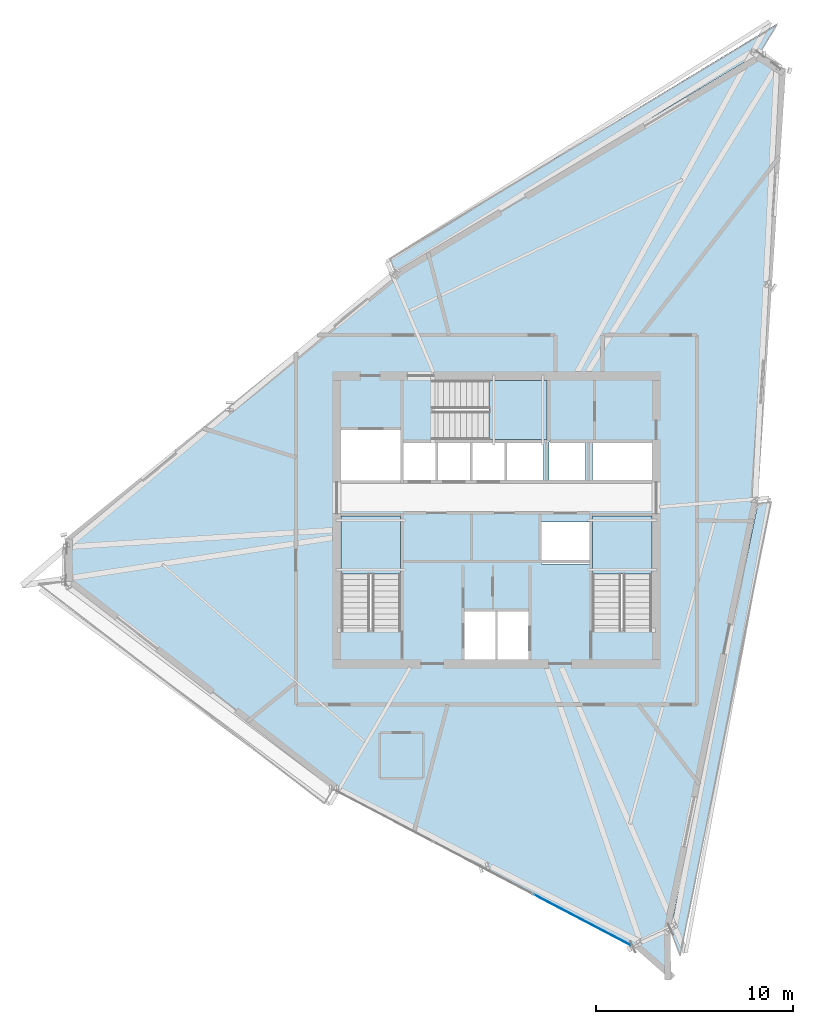
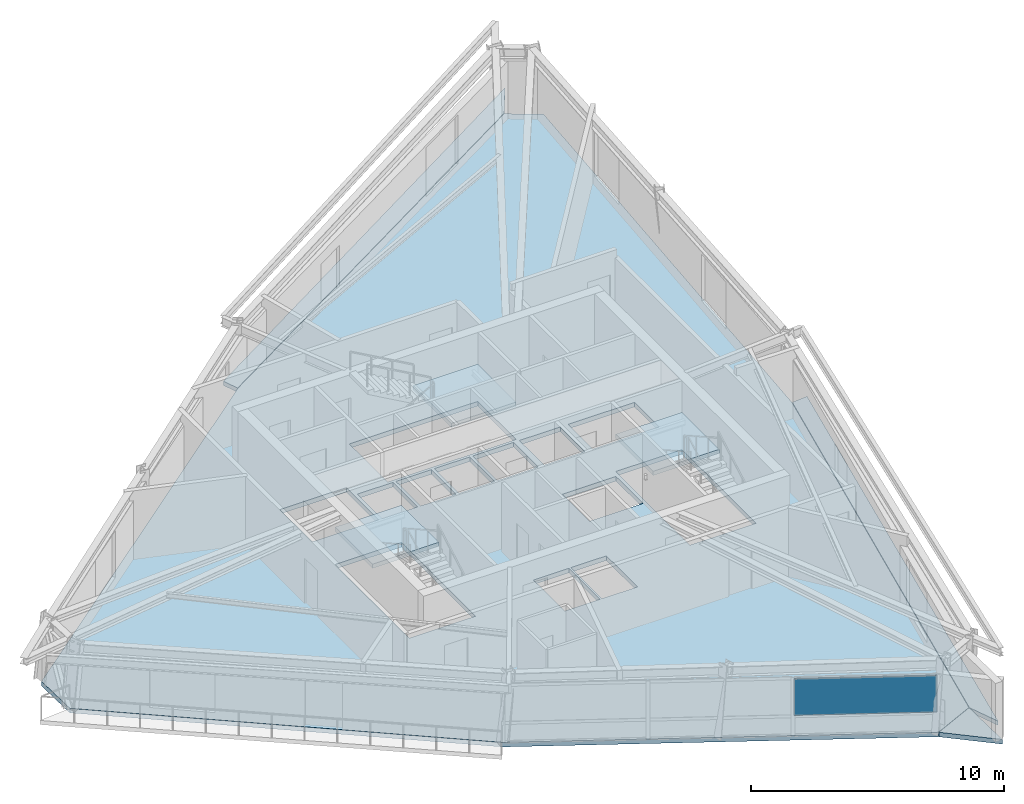
# One storey, part 6 of 14: 7 slabs, 1 plate, 4 elements without a shape of their own.
"""IFC4 building model written with IfcOpenShell, lengths in metres."""

import ifcopenshell
import ifcopenshell.guid

model = None  # the IFC model being written
_history = None  # IfcOwnerHistory: only IFC2X3 demands one
_inside = {}  # id of a spatial element -> (the spatial element, [elements in it])
_under = {}  # id of a project, library or spatial element -> (it, [spatial elements below it])
_declared = {}  # id of a project -> (the project, [libraries it declares])
_typed = {}  # id of a type object -> (the type object, [elements of that type])
_made_of = {}  # id of a material, layer set ... -> (it, [elements and type objects made of it])


def new_model(schema):
    """Start an empty IFC model of exactly this schema.

    Asked for "IFC4X3", IfcOpenShell would pick the latest addendum, in which some entities
    have other attributes; the version numbers below select the first issue.
    IFC2X3 requires an IfcOwnerHistory on every rooted entity: one is made here for all.
    """
    global model, _history
    if schema == "IFC4X3":
        model = ifcopenshell.file(schema_version=(4, 3, 0, 0))
    else:
        model = ifcopenshell.file(schema=schema)
    _inside.clear()
    _under.clear()
    _declared.clear()
    _typed.clear()
    _made_of.clear()
    _history = None
    if model.schema == "IFC2X3":
        org = make("IfcOrganization", Name="unknown")
        user = make(
            "IfcPersonAndOrganization",
            ThePerson=make("IfcPerson", FamilyName="unknown"),
            TheOrganization=org,
        )
        app = make(
            "IfcApplication",
            ApplicationDeveloper=org,
            Version="unknown",
            ApplicationFullName="unknown",
            ApplicationIdentifier="unknown",
        )
        _history = make(
            "IfcOwnerHistory",
            OwningUser=user,
            OwningApplication=app,
            ChangeAction="ADDED",
            CreationDate=0,
        )
    return model


def make(cls, **values):
    """One entity of the class cls with the attributes given. An attribute that is None is left unset."""
    return model.create_entity(
        cls, **{name: value for name, value in values.items() if value is not None}
    )


def rooted(cls, **values):
    """An entity with a GlobalId (a new one), such as an element, a storey or a relation."""
    return make(cls, GlobalId=ifcopenshell.guid.new(), OwnerHistory=_history, **values)


def si_unit(unit_type, name, prefix=None):
    """IfcSIUnit, for example si_unit("LENGTHUNIT", "METRE", prefix="MILLI")."""
    return make("IfcSIUnit", UnitType=unit_type, Prefix=prefix, Name=name)


def assignment(units):
    """IfcUnitAssignment: the units of a project."""
    return None if units is None else make("IfcUnitAssignment", Units=units)


def point(xyz):
    """IfcCartesianPoint."""
    return None if xyz is None else make("IfcCartesianPoint", Coordinates=xyz)


def direction(xyz):
    """IfcDirection."""
    return None if xyz is None else make("IfcDirection", DirectionRatios=xyz)


def frame(location, z_axis=None, x_axis=None):
    """IfcAxis2Placement3D, a coordinate frame: its origin and axes. An axis left out is left unset."""
    return make(
        "IfcAxis2Placement3D",
        Location=point(location),
        Axis=direction(z_axis),
        RefDirection=direction(x_axis),
    )


def frame_2d(location, x_axis=None):
    """IfcAxis2Placement2D, a coordinate frame in the plane: its origin and x axis."""
    return make(
        "IfcAxis2Placement2D", Location=point(location), RefDirection=direction(x_axis)
    )


def origin():
    """The frame at (0, 0, 0) with its axes left unset."""
    return frame((0.0, 0.0, 0.0))


def origin_2d():
    """The frame at (0, 0) in the plane with its x axis left unset."""
    return frame_2d((0.0, 0.0))


def place(relative_to, where):
    """IfcLocalPlacement: puts the frame where relative to a parent placement (None: the world)."""
    return make(
        "IfcLocalPlacement", PlacementRelTo=relative_to, RelativePlacement=where
    )


def context(
    kind, dimensions, precision=None, world=None, true_north=None, identifier=None
):
    """IfcGeometricRepresentationContext, for example the 3D "Model" context."""
    return make(
        "IfcGeometricRepresentationContext",
        ContextIdentifier=identifier,
        ContextType=kind,
        CoordinateSpaceDimension=dimensions,
        Precision=precision,
        WorldCoordinateSystem=world,
        TrueNorth=true_north,
    )


def subcontext(parent, identifier, kind, view, scale=None):
    """IfcGeometricRepresentationSubContext, for example "Body" below "Model"."""
    return make(
        "IfcGeometricRepresentationSubContext",
        ContextIdentifier=identifier,
        ContextType=kind,
        ParentContext=parent,
        TargetScale=scale,
        TargetView=view,
    )


def project(units=None, contexts=None):
    """IfcProject with its units and contexts."""
    return rooted(
        "IfcProject",
        Name="project",
        RepresentationContexts=contexts,
        UnitsInContext=assignment(units),
    )


def spatial(cls, under=None, at=None, **own):
    """A site, building, storey or space (cls), placed at a placement, below another one or the project."""
    s = rooted(cls, ObjectPlacement=at, **own)
    if under is not None:
        _under.setdefault(under.id(), (under, []))[1].append(s)
    return s


def polyline(points):
    """IfcPolyline through the points."""
    return make("IfcPolyline", Points=[point(p) for p in points])


def profile(cls, at=None, kind="AREA", **sizes):
    """A parametric profile (cls). Its sizes go by their IFC names, for example OverallWidth=200.0."""
    return make(cls, ProfileType=kind, Position=at, **sizes)


def rectangle(**sizes):
    """IfcRectangleProfileDef."""
    return profile("IfcRectangleProfileDef", **sizes)


def outline(outer, holes=None, kind="AREA"):
    """IfcArbitraryClosedProfileDef: a profile drawn as a closed curve; with holes, ...WithVoids."""
    if holes is None:
        return make("IfcArbitraryClosedProfileDef", ProfileType=kind, OuterCurve=outer)
    return make(
        "IfcArbitraryProfileDefWithVoids",
        ProfileType=kind,
        OuterCurve=outer,
        InnerCurves=holes,
    )


def extrude(swept, where, along, depth):
    """IfcExtrudedAreaSolid: the profile swept, set in the frame where, extruded along a direction by depth."""
    return make(
        "IfcExtrudedAreaSolid",
        SweptArea=swept,
        Position=where,
        ExtrudedDirection=direction(along),
        Depth=depth,
    )


def shape(context_of_items, identifier, shape_type, items):
    """IfcShapeRepresentation: the items that make up one representation, for example the "Body"."""
    return make(
        "IfcShapeRepresentation",
        ContextOfItems=context_of_items,
        RepresentationIdentifier=identifier,
        RepresentationType=shape_type,
        Items=items,
    )


def source(mapping_origin, context_of_items, identifier, shape_type, items):
    """IfcRepresentationMap: a shape defined once, which mapped items show again and again."""
    return make(
        "IfcRepresentationMap",
        MappingOrigin=mapping_origin,
        MappedRepresentation=shape(context_of_items, identifier, shape_type, items),
    )


def transform(
    local_origin,
    x_axis=None,
    y_axis=None,
    z_axis=None,
    scale=None,
    scale2=None,
    scale3=None,
    uniform=True,
):
    """IfcCartesianTransformationOperator3D, or its non-uniform kind. x_axis, y_axis, z_axis: its Axis1, 2, 3."""
    if uniform:
        return make(
            "IfcCartesianTransformationOperator3D",
            Axis1=direction(x_axis),
            Axis2=direction(y_axis),
            LocalOrigin=point(local_origin),
            Scale=scale,
            Axis3=direction(z_axis),
        )
    return make(
        "IfcCartesianTransformationOperator3DnonUniform",
        Axis1=direction(x_axis),
        Axis2=direction(y_axis),
        LocalOrigin=point(local_origin),
        Scale=scale,
        Axis3=direction(z_axis),
        Scale2=scale2,
        Scale3=scale3,
    )


def mapped(mapping_source, mapping_target):
    """IfcMappedItem: shows the shape of a source again, moved by a transform."""
    return make(
        "IfcMappedItem", MappingSource=mapping_source, MappingTarget=mapping_target
    )


def material(Name=None, Category=None):
    """IfcMaterial."""
    return make("IfcMaterial", Name=Name, Category=Category)


def layer(
    of_material, thickness, ventilated=None, Name=None, Category=None, Priority=None
):
    """IfcMaterialLayer: one layer of a wall or slab, of a material (None: an air gap)."""
    return make(
        "IfcMaterialLayer",
        Material=of_material,
        LayerThickness=thickness,
        IsVentilated=ventilated,
        Name=Name,
        Category=Category,
        Priority=Priority,
    )


def layer_set(layers, Name=None):
    """IfcMaterialLayerSet."""
    return make("IfcMaterialLayerSet", MaterialLayers=layers, LayerSetName=Name)


def made_of(thing, what):
    """Note that an element or type object is made of a material, layer set ...; save() writes the relation."""
    if what is not None:
        _made_of.setdefault(what.id(), (what, []))[1].append(thing)
    return thing


def type_object(cls, material=None, **own):
    """A type object (cls), such as IfcWallType, which elements share."""
    return made_of(rooted(cls, **own), material)


def element(
    cls,
    number,
    at=None,
    inside=None,
    cuts=None,
    type_object=None,
    material=None,
    context=None,
    identifier="Body",
    shape_type=None,
    held_by="IfcProductDefinitionShape",
    body=None,
    shapes=None,
    **own,
):
    """One element of the class cls, such as IfcWall. Its Tag is "e" and its number.

    at: its placement. inside: the storey or other place that contains it. cuts: it is an
    opening in that element (IfcRelVoidsElement). A single representation is given by context,
    identifier, shape_type and body (its items); several are given by shapes. held_by: the class
    of the entity that holds the representations. save() writes the other relations.
    """
    e = rooted(cls, Tag="e%d" % number, ObjectPlacement=at, **own)
    if body is not None:
        shapes = [shape(context, identifier, shape_type, body)]
    if shapes is not None:
        e.Representation = make(held_by, Representations=shapes)
    if inside is not None:
        _inside.setdefault(inside.id(), (inside, []))[1].append(e)
    if cuts is not None:
        rooted(
            "IfcRelVoidsElement", RelatingBuildingElement=cuts, RelatedOpeningElement=e
        )
    if type_object is not None:
        _typed.setdefault(type_object.id(), (type_object, []))[1].append(e)
    return made_of(e, material)


def aggregate(whole, parts):
    """IfcRelAggregates: a whole, such as a stair, and the parts it consists of."""
    return rooted("IfcRelAggregates", RelatingObject=whole, RelatedObjects=parts)


def save(model, path):
    """Write the relations noted so far, then the file.

    IfcRelAggregates (storeys below a building ...), IfcRelContainedInSpatialStructure (elements
    in a storey), IfcRelDefinesByType, IfcRelAssociatesMaterial and IfcRelDeclares: one each for
    every whole, place, type object, material and project.
    """
    for whole, parts in _under.values():
        aggregate(whole, parts)
    for where, things in _inside.values():
        rooted(
            "IfcRelContainedInSpatialStructure",
            RelatedElements=things,
            RelatingStructure=where,
        )
    for kind, things in _typed.values():
        rooted("IfcRelDefinesByType", RelatedObjects=things, RelatingType=kind)
    for what, things in _made_of.values():
        rooted("IfcRelAssociatesMaterial", RelatedObjects=things, RelatingMaterial=what)
    for by, libraries in _declared.values():
        rooted("IfcRelDeclares", RelatingContext=by, RelatedDefinitions=libraries)
    model.write(path)


model = new_model("IFC4")

# Units and contexts
model_context = context("Model", 3, precision=1e-05, world=origin(), true_north=direction((0.0, 1.0)))
body_context = subcontext(model_context, "Body", "Model", "MODEL_VIEW")
ifc_project = project(units=[si_unit("LENGTHUNIT", "METRE"), si_unit("AREAUNIT", "SQUARE_METRE"), si_unit("VOLUMEUNIT", "CUBIC_METRE"), si_unit("PLANEANGLEUNIT", "RADIAN"), si_unit("MASSUNIT", "GRAM", prefix="KILO")], contexts=[model_context])

# Site, building, storey
site_placement = place(None, origin())
site = spatial("IfcSite", under=ifc_project, at=site_placement, CompositionType="ELEMENT")
building_placement = place(site_placement, origin())
building = spatial("IfcBuilding", under=site, at=building_placement, Name="Olszyna Solenne Hotel", CompositionType="ELEMENT")
storey_placement = place(building_placement, frame((0.0, 0.0, 274.10009765625)))
storey = spatial("IfcBuildingStorey", under=building, at=storey_placement, Name="L73", CompositionType="ELEMENT", Elevation=274.10009765625)

# Stair, slab
ifc_material_1 = material(Name="Concrete C40/50", Category="concrete")
stair_type = type_object("IfcStairType", Name="STR-C1", PredefinedType="TWO_QUARTER_WINDING_STAIR", material=ifc_material_1)
stair_1_placement = place(storey_placement, origin())
stair_1 = element("IfcStair", 1, at=stair_1_placement, inside=storey, type_object=stair_type, Name="L73 ST1", PredefinedType="TWO_QUARTER_WINDING_STAIR")
ifc_layer_1 = layer(ifc_material_1, 0.18994140625, Name="Concrete C40/50")
ifc_layer_set_1 = layer_set([ifc_layer_1], Name="Concrete C40/50")
slab_type_1 = type_object("IfcSlabType", Name="SL-LN190", PredefinedType="LANDING", material=ifc_layer_set_1)
slab_1_placement = place(storey_placement, frame((0.0, 0.0, 1.599853515625)))
slab_1 = element("IfcSlab", 2, at=slab_1_placement, type_object=slab_type_1, Name="ST1 landing 1", PredefinedType="LANDING", context=body_context, shape_type="SweptSolid", body=[
    extrude(outline(polyline([(33.1201171875, 23.85009765625), (33.1201171875, 26.800048828125), (30.10009765625, 26.800048828125), (30.10009765625, 23.85009765625), (33.1201171875, 23.85009765625)])), origin(), (0.0, 0.0, 1.0), 0.199951171875),
])
aggregate(stair_1, [slab_1])

stair_2_placement = place(storey_placement, origin())
stair_2 = element("IfcStair", 3, at=stair_2_placement, inside=storey, type_object=stair_type, Name="L73 ST2", PredefinedType="TWO_QUARTER_WINDING_STAIR")
slab_2_placement = place(storey_placement, frame((0.0, 0.0, 1.599853515625)))
slab_2 = element("IfcSlab", 4, at=slab_2_placement, type_object=slab_type_1, Name="ST2 landing 1", PredefinedType="LANDING", context=body_context, shape_type="SweptSolid", body=[
    extrude(outline(polyline([(45.89990234375, 23.85009765625), (45.89990234375, 26.800048828125), (42.8798828125, 26.800048828125), (42.8798828125, 23.85009765625), (45.89990234375, 23.85009765625)])), origin(), (0.0, 0.0, 1.0), 0.199951171875),
])
aggregate(stair_2, [slab_2])

stair_3_placement = place(storey_placement, origin())
stair_3 = element("IfcStair", 5, at=stair_3_placement, inside=storey, type_object=stair_type, Name="L73 ST3", PredefinedType="TWO_QUARTER_WINDING_STAIR")
slab_3_placement = place(storey_placement, frame((0.0, 0.0, 1.599853515625)))
slab_3 = element("IfcSlab", 6, at=slab_3_placement, type_object=slab_type_1, Name="ST3 landing 1", PredefinedType="LANDING", context=body_context, shape_type="SweptSolid", body=[
    extrude(outline(polyline([(37.6298828125, 30.679931640625), (40.580078125, 30.679931640625), (40.580078125, 33.699951171875), (37.6298828125, 33.699951171875), (37.6298828125, 30.679931640625)])), origin(), (0.0, 0.0, 1.0), 0.199951171875),
])
aggregate(stair_3, [slab_3])

# Slabs
ifc_material_2 = material(Name="Precast concrete C45/55", Category="concrete")
ifc_layer_2 = layer(ifc_material_2, 0.199951171875, Name="Precast concrete C45/55")
ifc_layer_set_2 = layer_set([ifc_layer_2], Name="Precast concrete C45/55")
slab_type_2 = type_object("IfcSlabType", Name="SL-LOG200", PredefinedType="FLOOR", material=ifc_layer_set_2)
slab_4_placement = place(storey_placement, frame((0.0, 0.0, -0.2001953125)))
element("IfcSlab", 7, at=slab_4_placement, inside=storey, type_object=slab_type_2, Name="Exterior loggia balcony slab SL-L73-LG1", PredefinedType="FLOOR", context=body_context, shape_type="SweptSolid", body=[
    extrude(outline(polyline([(32.83349609375, 39.23681640625), (51.3720703125, 50.33740234375), (51.373291015625, 50.338134765625), (51.374755859375, 50.338623046875), (51.376220703125, 50.339111328125), (51.37744140625, 50.33935546875), (51.37890625, 50.339599609375), (51.380615234375, 50.339599609375), (51.382080078125, 50.33935546875), (51.38330078125, 50.339111328125), (51.384765625, 50.338623046875), (51.38623046875, 50.338134765625), (51.387451171875, 50.33740234375), (52.299072265625, 51.849853515625), (32.575439453125, 39.9208984375), (32.83349609375, 39.23681640625)])), origin(), (0.0, 0.0, 1.0), 0.2001953125),
])
slab_5_placement = place(storey_placement, frame((0.0, 0.0, -0.2001953125)))
element("IfcSlab", 8, at=slab_5_placement, inside=storey, type_object=slab_type_2, Name="Exterior loggia balcony slab SL-L73-LG3", PredefinedType="FLOOR", context=body_context, shape_type="SweptSolid", body=[
    extrude(outline(polyline([(51.297607421875, 27.442138671875), (51.297607421875, 27.439697265625), (51.297119140625, 27.437744140625), (46.8505859375, 5.77197265625), (46.851318359375, 5.73193359375), (47.362548828125, 4.376220703125), (52.005615234375, 27.5048828125), (51.297607421875, 27.442138671875)])), origin(), (0.0, 0.0, 1.0), 0.2001953125),
])
ifc_material_3 = material(Name="Concrete C50/60", Category="concrete")
ifc_layer_3 = layer(ifc_material_3, 0.219970703125, Name="Concrete C50/60")
ifc_layer_set_3 = layer_set([ifc_layer_3], Name="Concrete C50/60")
slab_type_3 = type_object("IfcSlabType", Name="SL-TW225", PredefinedType="FLOOR", material=ifc_layer_set_3)
slab_6_placement = place(storey_placement, frame((0.0, 0.0, -0.22021484375)))
element("IfcSlab", 9, at=slab_6_placement, inside=storey, type_object=slab_type_3, Name="Floor slab SL-TW225 SL-L73-01", PredefinedType="FLOOR", context=body_context, shape_type="SweptSolid", body=[
    extrude(outline(polyline([(52.711181640625, 49.513671875), (51.379638671875, 50.32470703125), (32.8388671875, 39.222412109375), (16.042724609375, 25.624267578125), (16.08447265625, 23.4638671875), (29.691650390625, 12.901611328125), (44.9462890625, 4.900390625), (46.835693359375, 5.7734375), (51.282470703125, 27.44091796875), (52.711181640625, 49.513671875)]), holes=[polyline([(30.10009765625, 20.949951171875), (33.1201171875, 20.949951171875), (33.1201171875, 26.800048828125), (30.10009765625, 26.800048828125), (30.10009765625, 20.949951171875)]), polyline([(42.8798828125, 20.949951171875), (45.89990234375, 20.949951171875), (45.89990234375, 26.800048828125), (42.8798828125, 26.800048828125), (42.8798828125, 20.949951171875)]), polyline([(34.72998046875, 30.679931640625), (40.580078125, 30.679931640625), (40.580078125, 33.699951171875), (34.72998046875, 33.699951171875), (34.72998046875, 30.679931640625)]), polyline([(36.340087890625, 19.5), (37.9599609375, 19.5), (37.9599609375, 21.9599609375), (36.340087890625, 21.9599609375), (36.340087890625, 19.5)]), polyline([(38.0400390625, 19.5), (39.659912109375, 19.5), (39.659912109375, 21.9599609375), (38.0400390625, 21.9599609375), (38.0400390625, 19.5)]), polyline([(30.10009765625, 28.60009765625), (33.1201171875, 28.60009765625), (33.1201171875, 31.159912109375), (30.10009765625, 31.159912109375), (30.10009765625, 28.60009765625)]), polyline([(40.280029296875, 24.360107421875), (42.719970703125, 24.360107421875), (42.719970703125, 26.5), (40.280029296875, 26.5), (40.280029296875, 24.360107421875)]), polyline([(33.280029296875, 28.60009765625), (34.89990234375, 28.60009765625), (34.89990234375, 30.550048828125), (33.280029296875, 30.550048828125), (33.280029296875, 28.60009765625)]), polyline([(35.030029296875, 28.60009765625), (36.64990234375, 28.60009765625), (36.64990234375, 30.550048828125), (35.030029296875, 30.550048828125), (35.030029296875, 28.60009765625)]), polyline([(36.780029296875, 28.60009765625), (38.39990234375, 28.60009765625), (38.39990234375, 30.550048828125), (36.780029296875, 30.550048828125), (36.780029296875, 28.60009765625)]), polyline([(38.530029296875, 28.60009765625), (40.389892578125, 28.60009765625), (40.389892578125, 30.550048828125), (38.530029296875, 30.550048828125), (38.530029296875, 28.60009765625)]), polyline([(40.659912109375, 28.60009765625), (42.52001953125, 28.60009765625), (42.52001953125, 30.550048828125), (40.659912109375, 30.550048828125), (40.659912109375, 28.60009765625)]), polyline([(42.8798828125, 28.60009765625), (45.89990234375, 28.60009765625), (45.89990234375, 30.550048828125), (42.8798828125, 30.550048828125), (42.8798828125, 28.60009765625)])]), origin(), (0.0, 0.0, 1.0), 0.22021484375),
])
slab_7_placement = place(storey_placement, frame((0.0, 0.0, -0.22021484375)))
element("IfcSlab", 10, at=slab_7_placement, inside=storey, type_object=slab_type_3, Name="Faceted glass-prism floor slab SL-L73-PR", PredefinedType="FLOOR", context=body_context, shape_type="SweptSolid", body=[
    extrude(outline(polyline([(46.8359375, 5.762451171875), (44.95458984375, 4.89306640625), (46.876708984375, 3.20361328125), (46.8359375, 5.762451171875)])), origin(), (0.0, 0.0, 1.0), 0.22021484375),
])

# Curtain wall, plate
ifc_material_4 = material(Name="Anodised bronze aluminium", Category="aluminium")
curtain_wall_type = type_object("IfcCurtainWallType", Name="CW-SYS-4", PredefinedType="NOTDEFINED", material=ifc_material_4)
curtain_wall_placement = place(storey_placement, origin())
curtain_wall = element("IfcCurtainWall", 11, at=curtain_wall_placement, inside=storey, type_object=curtain_wall_type, Name="Unitised curtain wall CW-SYS-4 CW-L73-01", PredefinedType="NOTDEFINED")
ifc_material_5 = material(Name="Low-E triple glazing", Category="glass")
plate_type = type_object("IfcPlateType", Name="PN-GL1", PredefinedType="CURTAIN_PANEL", material=ifc_material_5)
shared_shape = source(origin(), body_context, "Body", "SweptSolid", [
    extrude(rectangle(XDim=5.644287109375, YDim=0.035888671875, at=origin_2d()), origin(), (0.0, 0.0, 1.0), 1.764404296875),
])
plate_placement = place(storey_placement, frame((42.389404296875, 6.241455078125, 0.982421875), z_axis=(0.0, 0.0, 1.0), x_axis=(0.885576195092, -0.464494136331, 0.0)))
plate = element("IfcPlate", 12, at=plate_placement, type_object=plate_type, Name="Curtain-wall panel PN-GL1 CP-L73-01-06", PredefinedType="CURTAIN_PANEL", context=body_context, shape_type="MappedRepresentation", body=[
    mapped(shared_shape, transform((0.0, 0.0, 0.0), x_axis=(1.0, 0.0, 0.0), y_axis=(0.0, 1.0, 0.0), z_axis=(0.0, 0.0, 1.0), scale=1.0)),
])
aggregate(curtain_wall, [plate])

save(model, "model.ifc")
